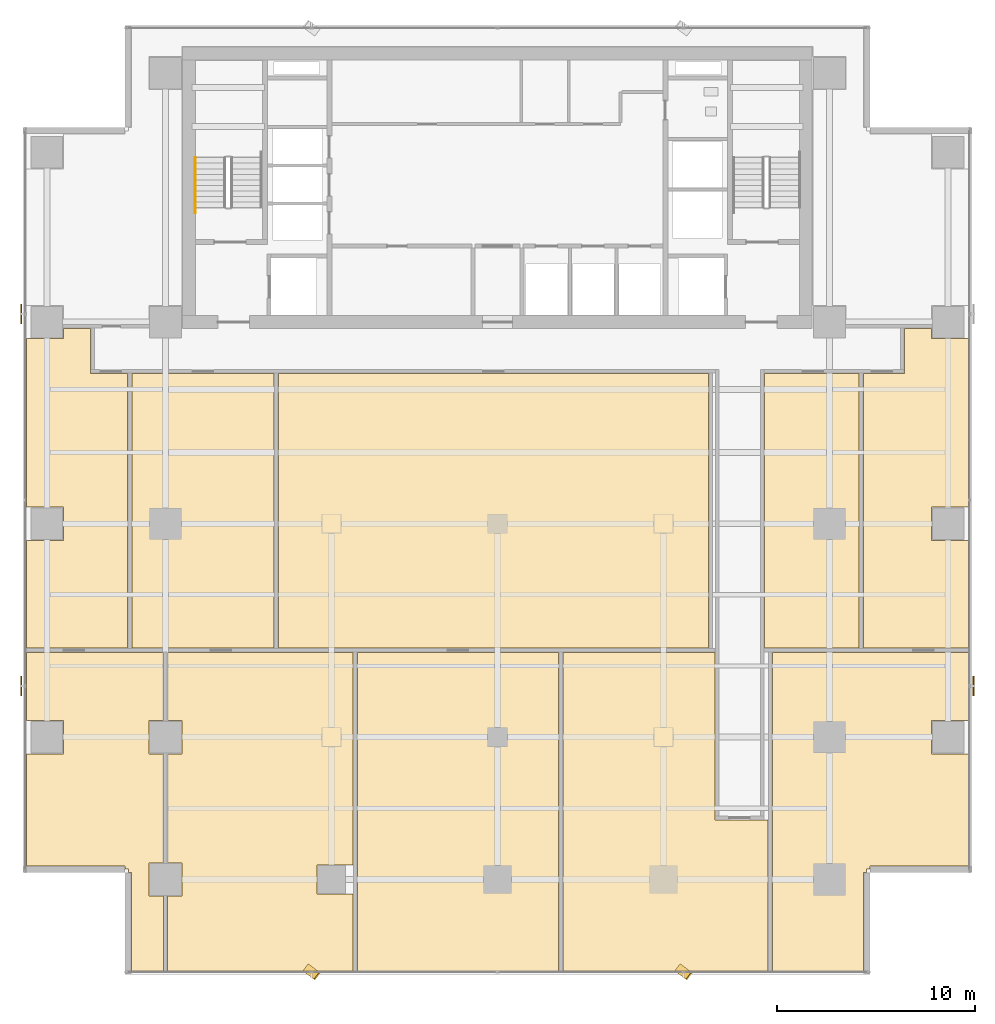
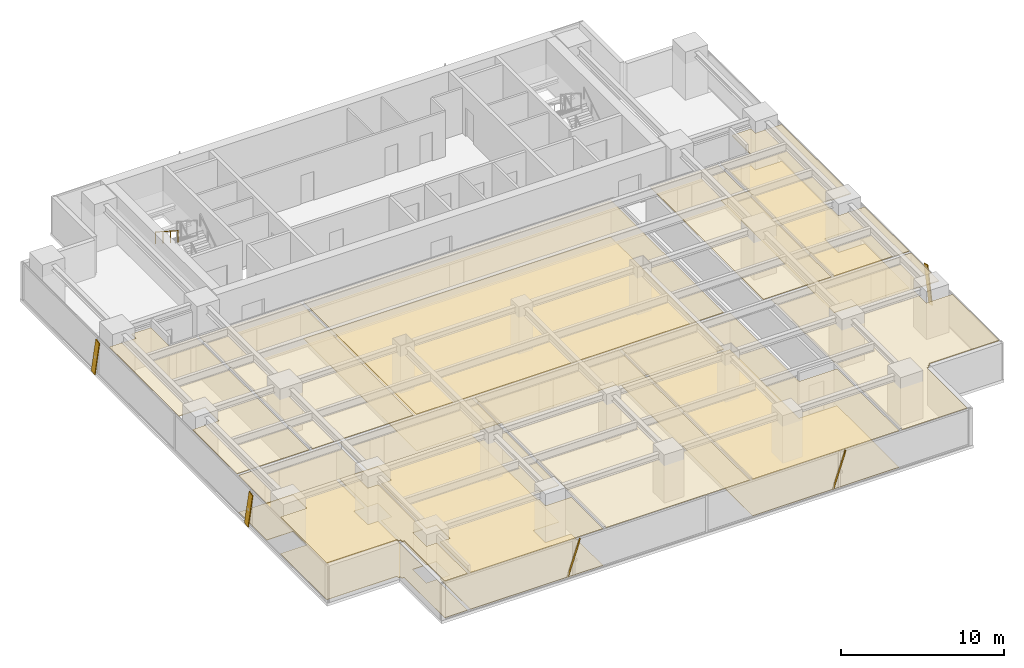
# One storey, part 24 of 28: 15 coverings, 5 shading devices, 1 railing.
"""IFC4 building model written with IfcOpenShell, lengths in metres."""

from ifc_helpers import new_model, si_unit, direction, frame, origin, origin_2d, place, context, subcontext, project, spatial, polyline, rectangle, outline, extrude, source, transform, mapped, material, layer, layer_set, material_profile, profile_set, type_object, element, save


model = new_model("IFC4")

# Units and contexts
model_context = context("Model", 3, precision=1e-05, world=origin(), true_north=direction((0.0, 1.0)))
body_context = subcontext(model_context, "Body", "Model", "MODEL_VIEW")
ifc_project = project(units=[si_unit("LENGTHUNIT", "METRE"), si_unit("AREAUNIT", "SQUARE_METRE"), si_unit("VOLUMEUNIT", "CUBIC_METRE"), si_unit("PLANEANGLEUNIT", "RADIAN"), si_unit("MASSUNIT", "GRAM", prefix="KILO")], contexts=[model_context])

# Site, building, storey
site_placement = place(None, origin())
site = spatial("IfcSite", under=ifc_project, at=site_placement, CompositionType="ELEMENT")
building_placement = place(site_placement, origin())
building = spatial("IfcBuilding", under=site, at=building_placement, Name="Sumidabori Civic Tower", CompositionType="ELEMENT")
storey_placement = place(building_placement, frame((0.0, 0.0, 174.800048828125)))
storey = spatial("IfcBuildingStorey", under=building, at=storey_placement, Name="L45", CompositionType="ELEMENT", Elevation=174.800048828125)

# Coverings
ifc_material_1 = material(Name="Anodised Bronze Baffle Ceiling")
ifc_layer_1 = layer(ifc_material_1, 0.054931640625, Name="Anodised Bronze Baffle Ceiling")
ifc_layer_set_1 = layer_set([ifc_layer_1], Name="Anodised Bronze Baffle Ceiling")
covering_type_1 = type_object("IfcCoveringType", Name="CV-CEIL-AC3", PredefinedType="CEILING", material=ifc_layer_set_1)
covering_1_placement = place(storey_placement, frame((0.0, 0.0, 2.72998046875)))
element("IfcCovering", 1, at=covering_1_placement, inside=storey, type_object=covering_type_1, Name="Room Acoustic Ceiling L45-02", PredefinedType="CEILING", context=body_context, shape_type="SweptSolid", body=[
    extrude(outline(polyline([(-21.9599609375, 9.360107421875), (-21.9599609375, 9.889892578125), (-20.60009765625, 9.889892578125), (-20.60009765625, 7.60009765625), (-18.7099609375, 7.60009765625), (-18.7099609375, -6.2900390625), (-23.830078125, -6.2900390625), (-23.830078125, -0.840087890625), (-21.9599609375, -0.840087890625), (-21.9599609375, 0.840087890625), (-23.830078125, 0.840087890625), (-23.830078125, 9.360107421875), (-21.9599609375, 9.360107421875)])), origin(), (0.0, 0.0, 1.0), 0.054931640625),
])
covering_2_placement = place(storey_placement, frame((0.0, 0.0, 2.72998046875)))
element("IfcCovering", 2, at=covering_2_placement, inside=storey, type_object=covering_type_1, Name="Room Acoustic Ceiling L45-03", PredefinedType="CEILING", context=body_context, shape_type="SweptSolid", body=[
    extrude(outline(polyline([(18.510009765625, 7.60009765625), (20.60009765625, 7.60009765625), (20.60009765625, 9.889892578125), (21.9599609375, 9.889892578125), (21.9599609375, 9.360107421875), (23.830078125, 9.360107421875), (23.830078125, 0.840087890625), (21.9599609375, 0.840087890625), (21.9599609375, -0.840087890625), (23.830078125, -0.840087890625), (23.830078125, -6.2900390625), (18.510009765625, -6.2900390625), (18.510009765625, 7.60009765625)])), origin(), (0.0, 0.0, 1.0), 0.054931640625),
])
covering_3_placement = place(storey_placement, frame((0.0, 0.0, 2.72998046875)))
element("IfcCovering", 3, at=covering_3_placement, inside=storey, type_object=covering_type_1, Name="Room Acoustic Ceiling L45-04", PredefinedType="CEILING", context=body_context, shape_type="SweptSolid", body=[
    extrude(outline(polyline([(-18.489990234375, 7.60009765625), (-11.31005859375, 7.60009765625), (-11.31005859375, -6.2900390625), (-18.489990234375, -6.2900390625), (-18.489990234375, 7.60009765625)])), origin(), (0.0, 0.0, 1.0), 0.054931640625),
])
covering_4_placement = place(storey_placement, frame((0.0, 0.0, 2.72998046875)))
element("IfcCovering", 4, at=covering_4_placement, inside=storey, type_object=covering_type_1, Name="Room Acoustic Ceiling L45-05", PredefinedType="CEILING", context=body_context, shape_type="SweptSolid", body=[
    extrude(outline(polyline([(-11.090087890625, 7.60009765625), (10.68994140625, 7.60009765625), (10.68994140625, -6.2900390625), (-11.090087890625, -6.2900390625), (-11.090087890625, 7.60009765625)])), origin(), (0.0, 0.0, 1.0), 0.054931640625),
])
covering_5_placement = place(storey_placement, frame((0.0, 0.0, 2.72998046875)))
element("IfcCovering", 5, at=covering_5_placement, inside=storey, type_object=covering_type_1, Name="Room Acoustic Ceiling L45-06", PredefinedType="CEILING", context=body_context, shape_type="SweptSolid", body=[
    extrude(outline(polyline([(13.5, 7.60009765625), (18.2900390625, 7.60009765625), (18.2900390625, -6.2900390625), (13.5, -6.2900390625), (13.5, 7.60009765625)])), origin(), (0.0, 0.0, 1.0), 0.054931640625),
])
covering_6_placement = place(storey_placement, frame((0.0, 0.0, 2.72998046875)))
element("IfcCovering", 6, at=covering_6_placement, inside=storey, type_object=covering_type_1, Name="Room Acoustic Ceiling L45-07", PredefinedType="CEILING", context=body_context, shape_type="SweptSolid", body=[
    extrude(outline(polyline([(-21.9599609375, -11.639892578125), (-21.9599609375, -9.9599609375), (-23.830078125, -9.9599609375), (-23.830078125, -6.510009765625), (-16.909912109375, -6.510009765625), (-16.909912109375, -9.9599609375), (-17.639892578125, -9.9599609375), (-17.639892578125, -11.639892578125), (-16.909912109375, -11.639892578125), (-16.909912109375, -17.159912109375), (-17.639892578125, -17.159912109375), (-17.639892578125, -18.840087890625), (-16.909912109375, -18.840087890625), (-16.909912109375, -22.6298828125), (-18.52197265625, -22.6298828125), (-18.52197265625, -17.64208984375), (-18.679931640625, -17.64208984375), (-18.679931640625, -17.47998046875), (-18.842041015625, -17.47998046875), (-18.842041015625, -17.322021484375), (-23.830078125, -17.322021484375), (-23.830078125, -11.639892578125), (-21.9599609375, -11.639892578125)])), origin(), (0.0, 0.0, 1.0), 0.054931640625),
])
covering_7_placement = place(storey_placement, frame((0.0, 0.0, 2.72998046875)))
element("IfcCovering", 7, at=covering_7_placement, inside=storey, type_object=covering_type_1, Name="Room Acoustic Ceiling L45-08", PredefinedType="CEILING", context=body_context, shape_type="SweptSolid", body=[
    extrude(outline(polyline([(13.909912109375, -6.510009765625), (23.830078125, -6.510009765625), (23.830078125, -9.9599609375), (21.9599609375, -9.9599609375), (21.9599609375, -11.639892578125), (23.830078125, -11.639892578125), (23.830078125, -17.322021484375), (18.842041015625, -17.322021484375), (18.842041015625, -17.47998046875), (18.679931640625, -17.47998046875), (18.679931640625, -17.64208984375), (18.52197265625, -17.64208984375), (18.52197265625, -22.6298828125), (13.909912109375, -22.6298828125), (13.909912109375, -6.510009765625)])), origin(), (0.0, 0.0, 1.0), 0.054931640625),
])
covering_8_placement = place(storey_placement, frame((0.0, 0.0, 2.72998046875)))
element("IfcCovering", 8, at=covering_8_placement, inside=storey, type_object=covering_type_1, Name="Room Acoustic Ceiling L45-09", PredefinedType="CEILING", context=body_context, shape_type="SweptSolid", body=[
    extrude(outline(polyline([(-16.68994140625, -18.840087890625), (-15.9599609375, -18.840087890625), (-15.9599609375, -17.159912109375), (-16.68994140625, -17.159912109375), (-16.68994140625, -11.639892578125), (-15.9599609375, -11.639892578125), (-15.9599609375, -9.9599609375), (-16.68994140625, -9.9599609375), (-16.68994140625, -6.510009765625), (-7.31005859375, -6.510009765625), (-7.31005859375, -17.260009765625), (-9.139892578125, -17.260009765625), (-9.139892578125, -18.739990234375), (-7.31005859375, -18.739990234375), (-7.31005859375, -22.6298828125), (-16.68994140625, -22.6298828125), (-16.68994140625, -18.840087890625)])), origin(), (0.0, 0.0, 1.0), 0.054931640625),
])
covering_9_placement = place(storey_placement, frame((0.0, 0.0, 2.72998046875)))
element("IfcCovering", 9, at=covering_9_placement, inside=storey, type_object=covering_type_1, Name="Room Acoustic Ceiling L45-10", PredefinedType="CEILING", context=body_context, shape_type="SweptSolid", body=[
    extrude(outline(polyline([(-7.090087890625, -6.510009765625), (3.090087890625, -6.510009765625), (3.090087890625, -22.6298828125), (-7.090087890625, -22.6298828125), (-7.090087890625, -6.510009765625)])), origin(), (0.0, 0.0, 1.0), 0.054931640625),
])
covering_10_placement = place(storey_placement, frame((0.0, 0.0, 2.72998046875)))
element("IfcCovering", 10, at=covering_10_placement, inside=storey, type_object=covering_type_1, Name="Room Acoustic Ceiling L45-11", PredefinedType="CEILING", context=body_context, shape_type="SweptSolid", body=[
    extrude(outline(polyline([(3.31005859375, -6.510009765625), (11.0, -6.510009765625), (11.0, -15.0), (13.68994140625, -15.0), (13.68994140625, -22.6298828125), (3.31005859375, -22.6298828125), (3.31005859375, -6.510009765625)])), origin(), (0.0, 0.0, 1.0), 0.054931640625),
])
ifc_material_2 = material(Name="Honed Terrazzo Tile Flooring")
ifc_layer_2 = layer(ifc_material_2, 0.030029296875, Name="Honed Terrazzo Tile Flooring")
ifc_layer_set_2 = layer_set([ifc_layer_2], Name="Honed Terrazzo Tile Flooring")
covering_type_2 = type_object("IfcCoveringType", Name="CV-FLR-TER", PredefinedType="FLOORING", material=ifc_layer_set_2)
covering_11_placement = place(storey_placement, origin())
element("IfcCovering", 11, at=covering_11_placement, inside=storey, type_object=covering_type_2, Name="Room Terrazzo Floor L45-03", PredefinedType="FLOORING", context=body_context, shape_type="SweptSolid", body=[
    extrude(outline(polyline([(18.510009765625, 7.60009765625), (20.60009765625, 7.60009765625), (20.60009765625, 9.889892578125), (21.9599609375, 9.889892578125), (21.9599609375, 9.360107421875), (23.830078125, 9.360107421875), (23.830078125, 0.840087890625), (21.9599609375, 0.840087890625), (21.9599609375, -0.840087890625), (23.830078125, -0.840087890625), (23.830078125, -6.2900390625), (18.510009765625, -6.2900390625), (18.510009765625, 7.60009765625)])), origin(), (0.0, 0.0, 1.0), 0.030029296875),
])
covering_12_placement = place(storey_placement, origin())
element("IfcCovering", 12, at=covering_12_placement, inside=storey, type_object=covering_type_2, Name="Room Terrazzo Floor L45-05", PredefinedType="FLOORING", context=body_context, shape_type="SweptSolid", body=[
    extrude(outline(polyline([(-11.090087890625, 7.60009765625), (10.68994140625, 7.60009765625), (10.68994140625, -6.2900390625), (-11.090087890625, -6.2900390625), (-11.090087890625, 7.60009765625)])), origin(), (0.0, 0.0, 1.0), 0.030029296875),
])
covering_13_placement = place(storey_placement, origin())
element("IfcCovering", 13, at=covering_13_placement, inside=storey, type_object=covering_type_2, Name="Room Terrazzo Floor L45-07", PredefinedType="FLOORING", context=body_context, shape_type="SweptSolid", body=[
    extrude(outline(polyline([(-21.9599609375, -11.639892578125), (-21.9599609375, -9.9599609375), (-23.830078125, -9.9599609375), (-23.830078125, -6.510009765625), (-16.909912109375, -6.510009765625), (-16.909912109375, -9.9599609375), (-17.639892578125, -9.9599609375), (-17.639892578125, -11.639892578125), (-16.909912109375, -11.639892578125), (-16.909912109375, -17.159912109375), (-17.639892578125, -17.159912109375), (-17.639892578125, -18.840087890625), (-16.909912109375, -18.840087890625), (-16.909912109375, -22.6298828125), (-18.52197265625, -22.6298828125), (-18.52197265625, -17.64208984375), (-18.679931640625, -17.64208984375), (-18.679931640625, -17.47998046875), (-18.842041015625, -17.47998046875), (-18.842041015625, -17.322021484375), (-23.830078125, -17.322021484375), (-23.830078125, -11.639892578125), (-21.9599609375, -11.639892578125)])), origin(), (0.0, 0.0, 1.0), 0.030029296875),
])
covering_14_placement = place(storey_placement, origin())
element("IfcCovering", 14, at=covering_14_placement, inside=storey, type_object=covering_type_2, Name="Room Terrazzo Floor L45-09", PredefinedType="FLOORING", context=body_context, shape_type="SweptSolid", body=[
    extrude(outline(polyline([(-16.68994140625, -18.840087890625), (-15.9599609375, -18.840087890625), (-15.9599609375, -17.159912109375), (-16.68994140625, -17.159912109375), (-16.68994140625, -11.639892578125), (-15.9599609375, -11.639892578125), (-15.9599609375, -9.9599609375), (-16.68994140625, -9.9599609375), (-16.68994140625, -6.510009765625), (-7.31005859375, -6.510009765625), (-7.31005859375, -17.260009765625), (-9.139892578125, -17.260009765625), (-9.139892578125, -18.739990234375), (-7.31005859375, -18.739990234375), (-7.31005859375, -22.6298828125), (-16.68994140625, -22.6298828125), (-16.68994140625, -18.840087890625)])), origin(), (0.0, 0.0, 1.0), 0.030029296875),
])
covering_15_placement = place(storey_placement, origin())
element("IfcCovering", 15, at=covering_15_placement, inside=storey, type_object=covering_type_2, Name="Room Terrazzo Floor L45-11", PredefinedType="FLOORING", context=body_context, shape_type="SweptSolid", body=[
    extrude(outline(polyline([(3.31005859375, -6.510009765625), (11.0, -6.510009765625), (11.0, -15.0), (13.68994140625, -15.0), (13.68994140625, -22.6298828125), (3.31005859375, -22.6298828125), (3.31005859375, -6.510009765625)])), origin(), (0.0, 0.0, 1.0), 0.030029296875),
])

# Railing
ifc_material_3 = material(Name="Stainless Steel Hairline Finish", Category="steel")
railing_type = type_object("IfcRailingType", Name="RL-HANDRAIL", PredefinedType="HANDRAIL", material=ifc_material_3)
railing_placement = place(storey_placement, frame((-15.2900390625, 18.52001953125, 1.97998046875)))
element("IfcRailing", 16, at=railing_placement, inside=storey, type_object=railing_type, Name="L45 ST-1 stair handrail 2", PredefinedType="HANDRAIL", context=body_context, shape_type="SweptSolid", body=[
    extrude(rectangle(XDim=0.048095703125, YDim=0.048095703125, at=origin_2d()), frame((0.0, 0.0, 0.8759765625), z_axis=(0.0, -0.840675598268, 0.541539046124), x_axis=(1.0, 0.0, 0.0)), (0.0, 0.0, 1.0), 3.330810546875),
    extrude(rectangle(XDim=0.0419921875, YDim=0.0419921875, at=origin_2d()), origin(), (0.0, 0.0, 1.0), 0.851806640625),
    extrude(rectangle(XDim=0.0419921875, YDim=0.0419921875, at=origin_2d()), frame((0.0, -0.933349609375, 0.601318359375)), (0.0, 0.0, 1.0), 0.851806640625),
    extrude(rectangle(XDim=0.0419921875, YDim=0.0419921875, at=origin_2d()), frame((0.0, -1.86669921875, 1.202392578125)), (0.0, 0.0, 1.0), 0.851806640625),
    extrude(rectangle(XDim=0.0419921875, YDim=0.0419921875, at=origin_2d()), frame((0.0, -2.800048828125, 1.8037109375)), (0.0, 0.0, 1.0), 0.851806640625),
])

# Shading devices
ifc_material_4 = material(Name="Anodised Bronze Aluminium AW-6063-T6", Category="aluminium")
ifc_material_profile = material_profile(ifc_material_4, rectangle(XDim=0.06005859375, YDim=0.449951171875, at=origin_2d()), Name="BRONZE FIN 450x60")
ifc_profile_set = profile_set([ifc_material_profile], Name="Anodised Bronze Aluminium AW-6063-T6")
shading_device_type = type_object("IfcShadingDeviceType", Name="SH-FIN-450", PredefinedType="USERDEFINED", material=ifc_profile_set)
shared_shape_1 = source(origin(), body_context, "Body", "SweptSolid", [
    extrude(rectangle(XDim=0.06005859375, YDim=0.449951171875, at=origin_2d()), origin(), (0.0, 0.0, 1.0), 2.789306640625),
])
for number, where, z_axis, x_axis, name in (
    (17, (-9.68994140625, -22.469970703125, 0.02001953125), (0.200794136335, -0.150551837182, 0.967995794998), (0.774477654896, -0.580689436103, -0.250966413819), "Bronze Anodised Diagonal Fin L45-01"),
    (18, (9.1298828125, -22.469970703125, 0.02001953125), (0.200794136335, -0.150551837182, 0.967995794998), (0.774477654896, -0.580689436103, -0.250966413819), "Bronze Anodised Diagonal Fin L45-03"),
):
    element("IfcShadingDevice", number, at=place(storey_placement, frame(where, z_axis=z_axis, x_axis=x_axis)), inside=storey, type_object=shading_device_type, Name=name, ObjectType="FIN", PredefinedType="USERDEFINED", context=body_context, shape_type="MappedRepresentation", body=[
        mapped(shared_shape_1, transform((0.0, 0.0, 0.0), x_axis=(1.0, 0.0, 0.0), y_axis=(0.0, 1.0, 0.0), z_axis=(0.0, 0.0, 1.0), scale=1.0)),
    ])
shared_shape_2 = source(origin(), body_context, "Body", "SweptSolid", [
    extrude(rectangle(XDim=0.06005859375, YDim=0.449951171875, at=origin_2d()), origin(), (0.0, 0.0, 1.0), 2.75732421875),
])
for number, where, z_axis, x_axis, name in (
    (19, (24.090087890625, -8.489990234375, 0.02001953125), (0.0, 0.203109150817, 0.979156102393), (-1.0, 0.0, 0.0), "Bronze Anodised Diagonal Fin L45-01"),
    (20, (-24.090087890625, 10.889892578125, 0.02001953125), (0.0, -0.20302426177, 0.979173707333), (-1.0, 0.0, 0.0), "Bronze Anodised Diagonal Fin L45-01"),
    (21, (-24.090087890625, -7.929931640625, 0.02001953125), (0.0, -0.203109150817, 0.979156102393), (-1.0, 0.0, 0.0), "Bronze Anodised Diagonal Fin L45-03"),
):
    element("IfcShadingDevice", number, at=place(storey_placement, frame(where, z_axis=z_axis, x_axis=x_axis)), inside=storey, type_object=shading_device_type, Name=name, ObjectType="FIN", PredefinedType="USERDEFINED", context=body_context, shape_type="MappedRepresentation", body=[
        mapped(shared_shape_2, transform((0.0, 0.0, 0.0), x_axis=(1.0, 0.0, 0.0), y_axis=(0.0, 1.0, 0.0), z_axis=(0.0, 0.0, 1.0), scale=1.0)),
    ])

save(model, "model.ifc")
